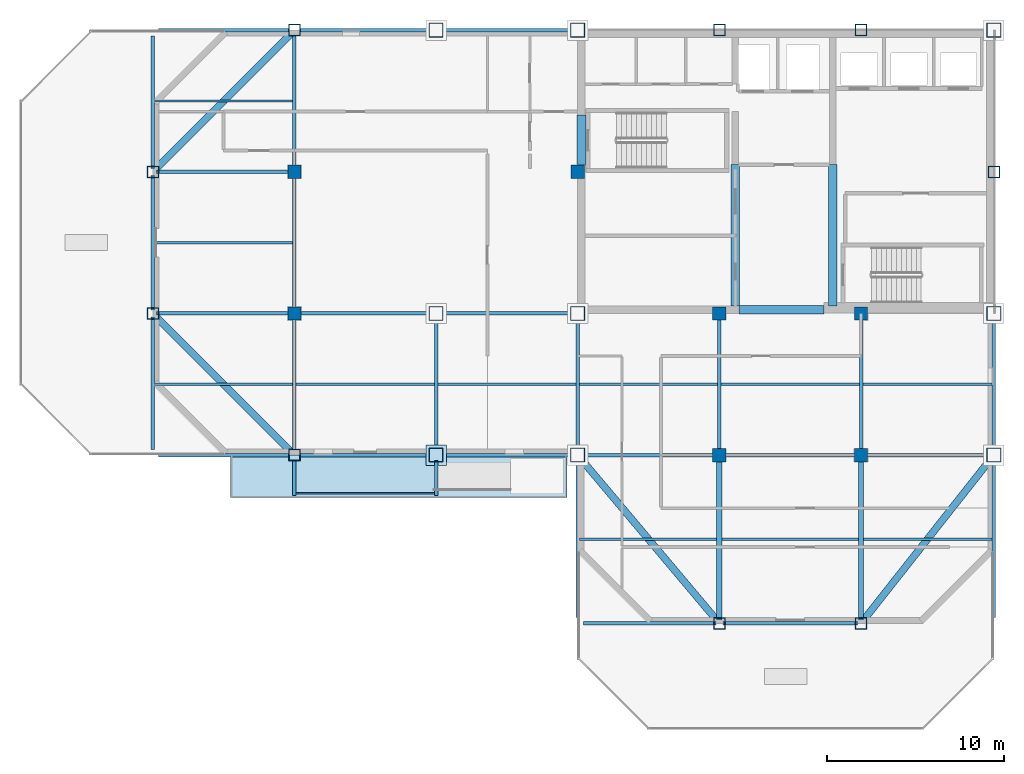
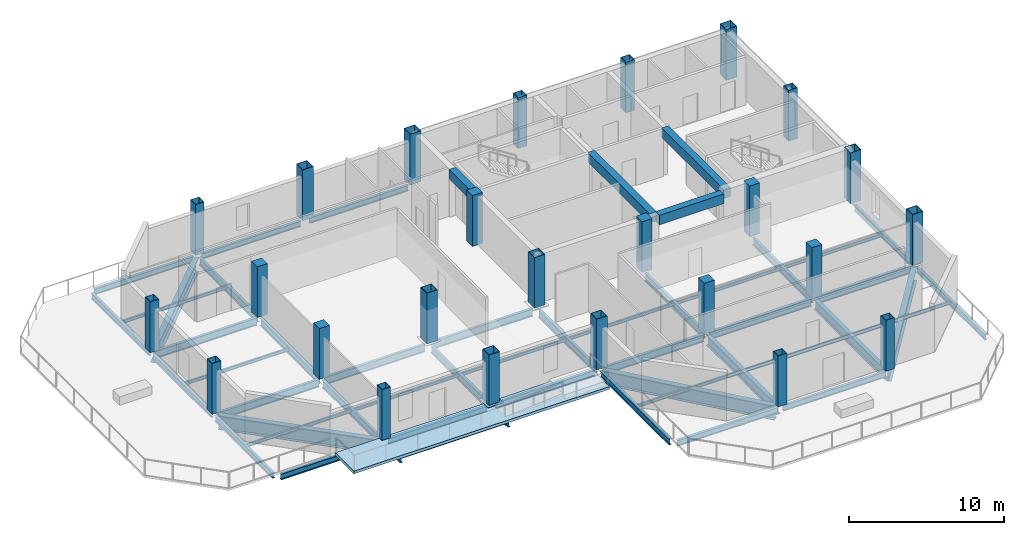
# One storey, part 1 of 8: 52 beams, 25 columns, 1 plate, 1 slab.
"""IFC4 building model written with IfcOpenShell, lengths in metres."""

from ifc_helpers import new_model, si_unit, direction, frame, origin, origin_2d, place, context, subcontext, project, spatial, polyline, rectangle, hollow_rectangle, i_section, outline, extrude, material, layer, layer_set, material_profile, profile_set, type_object, element, save


model = new_model("IFC4")

# Units and contexts
model_context = context("Model", 3, precision=1e-05, world=origin(), true_north=direction((0.0, 1.0)))
body_context = subcontext(model_context, "Body", "Model", "MODEL_VIEW")
ifc_project = project(units=[si_unit("LENGTHUNIT", "METRE"), si_unit("AREAUNIT", "SQUARE_METRE"), si_unit("VOLUMEUNIT", "CUBIC_METRE"), si_unit("PLANEANGLEUNIT", "RADIAN"), si_unit("MASSUNIT", "GRAM", prefix="KILO")], contexts=[model_context])

# Site, building, storey
site_placement = place(None, origin())
site = spatial("IfcSite", under=ifc_project, at=site_placement, CompositionType="ELEMENT")
building_placement = place(site_placement, origin())
building = spatial("IfcBuilding", under=site, at=building_placement, Name="Qianrong Seaharbour Tower", CompositionType="ELEMENT")
storey_placement = place(building_placement, frame((0.0, 0.0, 287.199951171875)))
storey = spatial("IfcBuildingStorey", under=building, at=storey_placement, Name="L69", CompositionType="ELEMENT", Elevation=287.199951171875)

# Columns
ifc_material_1 = material(Name="Structural steel SN490B", Category="steel")
ifc_material_profile_1 = material_profile(ifc_material_1, hollow_rectangle(XDim=0.800048828125, YDim=0.800048828125, WallThickness=0.031982421875, at=origin_2d()), Name="BOX800x800x32")
ifc_profile_set_1 = profile_set([ifc_material_profile_1], Name="Structural steel SN490B")
column_type_1 = type_object("IfcColumnType", Name="COL-CFT-800", PredefinedType="COLUMN", material=ifc_profile_set_1)
for number, where, z_axis, x_axis, name in (
    (1, (32.5, 28.0, 0.0), (0.0, 0.0, 1.0), (1.0, 0.0, 0.0), "L69 Column MC-5 at G5/GE"),
    (2, (32.5, 36.0, 0.0), (0.0, 0.0, 1.0), (1.0, 0.0, 0.0), "L69 Column MC-5 at G5/GF"),
    (3, (32.5, 52.0, 0.0), (0.0, 0.0, 1.0), (1.0, 0.0, 0.0), "L69 Column MC-5 at G5/GH"),
    (4, (40.5, 28.0, 0.0), (0.0, 0.0, 1.0), (1.0, 0.0, 0.0), "L69 Column MC-5 at G6/GE"),
    (5, (40.5, 36.0, 0.0), (0.0, 0.0, 1.0), (1.0, 0.0, 0.0), "L69 Column MC-5 at G6/GF"),
    (6, (40.5, 52.0, 0.0), (0.0, 0.0, 1.0), (1.0, 0.0, 0.0), "L69 Column MC-5 at G6/GH"),
    (7, (64.0, 28.0, 0.0), (0.0, 0.0, 1.0), (1.0, 0.0, 0.0), "L69 Column MC-5 at G9/GE"),
    (8, (64.0, 36.0, 0.0), (0.0, 0.0, 1.0), (1.0, 0.0, 0.0), "L69 Column MC-5 at G9/GF"),
    (9, (64.0, 52.0, 0.0), (0.0, 0.0, 1.0), (1.0, 0.0, 0.0), "L69 Column MC-5 at G9/GH"),
):
    element("IfcColumn", number, at=place(storey_placement, frame(where, z_axis=z_axis, x_axis=x_axis)), inside=storey, type_object=column_type_1, Name=name, PredefinedType="COLUMN", context=body_context, shape_type="SweptSolid", body=[
        extrude(hollow_rectangle(XDim=0.800048828125, YDim=0.800048828125, WallThickness=0.031982421875, at=origin_2d()), origin(), (0.0, 0.0, 1.0), 4.0),
    ])
ifc_material_2 = material(Name="Concrete C50/60", Category="concrete")
ifc_material_profile_2 = material_profile(ifc_material_2, rectangle(XDim=0.75, YDim=0.75, at=origin_2d()), Name="RC750x750")
ifc_profile_set_2 = profile_set([ifc_material_profile_2], Name="Concrete C50/60")
column_type_2 = type_object("IfcColumnType", Name="COL-INT-RC750", PredefinedType="COLUMN", material=ifc_profile_set_2)
for number, where, z_axis, x_axis, name in (
    (10, (24.5, 36.0, 0.0), (0.0, 0.0, 1.0), (1.0, 0.0, 0.0), "L69 Column IC-4 at G4/GF"),
    (11, (24.5, 44.0, 0.0), (0.0, 0.0, 1.0), (1.0, 0.0, 0.0), "L69 Column IC-4 at G4/GG"),
    (12, (40.5, 44.0, 0.0), (0.0, 0.0, 1.0), (1.0, 0.0, 0.0), "L69 Column IC-4 at G6/GG"),
    (13, (48.5, 28.0, 0.0), (0.0, 0.0, 1.0), (1.0, 0.0, 0.0), "L69 Column IC-4 at G7/GE"),
    (14, (48.5, 36.0, 0.0), (0.0, 0.0, 1.0), (1.0, 0.0, 0.0), "L69 Column IC-4 at G7/GF"),
    (15, (56.5, 28.0, 0.0), (0.0, 0.0, 1.0), (1.0, 0.0, 0.0), "L69 Column IC-4 at G8/GE"),
    (16, (56.5, 36.0, 0.0), (0.0, 0.0, 1.0), (1.0, 0.0, 0.0), "L69 Column IC-4 at G8/GF"),
):
    element("IfcColumn", number, at=place(storey_placement, frame(where, z_axis=z_axis, x_axis=x_axis)), inside=storey, type_object=column_type_2, Name=name, PredefinedType="COLUMN", context=body_context, shape_type="SweptSolid", body=[
        extrude(rectangle(XDim=0.75, YDim=0.75, at=origin_2d()), origin(), (0.0, 0.0, 1.0), 4.0),
    ])
ifc_material_3 = material(Name="Structural steel SN400B", Category="steel")
ifc_material_profile_3 = material_profile(ifc_material_3, hollow_rectangle(XDim=0.64990234375, YDim=0.64990234375, WallThickness=0.028076171875, at=origin_2d()), Name="BOX650x650x28")
ifc_profile_set_3 = profile_set([ifc_material_profile_3], Name="Structural steel SN400B")
column_type_3 = type_object("IfcColumnType", Name="COL-PER-650", PredefinedType="COLUMN", material=ifc_profile_set_3)
for number, where, z_axis, x_axis, name in (
    (17, (16.5, 36.0, 0.0), (0.0, 0.0, 1.0), (1.0, 0.0, 0.0), "L69 Column PC-4 at G3/GF"),
    (18, (16.5, 44.0, 0.0), (0.0, 0.0, 1.0), (1.0, 0.0, 0.0), "L69 Column PC-4 at G3/GG"),
    (19, (24.5, 28.0, 0.0), (0.0, 0.0, 1.0), (1.0, 0.0, 0.0), "L69 Column PC-4 at G4/GE"),
    (20, (24.5, 52.0, 0.0), (0.0, 0.0, 1.0), (1.0, 0.0, 0.0), "L69 Column PC-4 at G4/GH"),
    (21, (48.5, 18.5, 0.0), (0.0, 0.0, 1.0), (1.0, 0.0, 0.0), "L69 Column PC-4 at G7/GD"),
    (22, (48.5, 52.0, 0.0), (0.0, 0.0, 1.0), (1.0, 0.0, 0.0), "L69 Column PC-4 at G7/GH"),
    (23, (56.5, 18.5, 0.0), (0.0, 0.0, 1.0), (1.0, 0.0, 0.0), "L69 Column PC-4 at G8/GD"),
    (24, (56.5, 52.0, 0.0), (0.0, 0.0, 1.0), (1.0, 0.0, 0.0), "L69 Column PC-4 at G8/GH"),
    (25, (64.0, 44.0, 0.0), (0.0, 0.0, 1.0), (1.0, 0.0, 0.0), "L69 Column PC-4 at G9/GG"),
):
    element("IfcColumn", number, at=place(storey_placement, frame(where, z_axis=z_axis, x_axis=x_axis)), inside=storey, type_object=column_type_3, Name=name, PredefinedType="COLUMN", context=body_context, shape_type="SweptSolid", body=[
        extrude(hollow_rectangle(XDim=0.64990234375, YDim=0.64990234375, WallThickness=0.028076171875, at=origin_2d()), origin(), (0.0, 0.0, 1.0), 4.0),
    ])

# Beams
ifc_material_profile_4 = material_profile(ifc_material_1, i_section(OverallWidth=0.199951171875, OverallDepth=0.60009765625, WebThickness=0.010986328125, FlangeThickness=0.01708984375, FilletRadius=0.02197265625, at=origin_2d()), Name="H600x200x11x17")
ifc_profile_set_4 = profile_set([ifc_material_profile_4], Name="Structural steel SN490B")
beam_type_1 = type_object("IfcBeamType", Name="BM-G-600", PredefinedType="BEAM", material=ifc_profile_set_4)
beam_1_placement = place(storey_placement, frame((40.820068359375, 28.0, -0.514892578125), z_axis=(1.0, 0.0, 0.0), x_axis=(0.0, 1.0, 0.0)))
element("IfcBeam", 26, at=beam_1_placement, inside=storey, type_object=beam_type_1, Name="L69 Primary Girder GE G6-G7", PredefinedType="BEAM", context=body_context, shape_type="SweptSolid", body=[
    extrude(i_section(OverallWidth=0.199951171875, OverallDepth=0.60009765625, WebThickness=0.010986328125, FlangeThickness=0.01708984375, FilletRadius=0.02197265625, at=origin_2d()), origin(), (0.0, 0.0, 1.0), 7.47998046875),
])
beam_2_placement = place(storey_placement, frame((48.699951171875, 28.0, -0.514892578125), z_axis=(1.0, 0.0, 0.0), x_axis=(0.0, 1.0, 0.0)))
element("IfcBeam", 27, at=beam_2_placement, inside=storey, type_object=beam_type_1, Name="L69 Primary Girder GE G7-G8", PredefinedType="BEAM", context=body_context, shape_type="SweptSolid", body=[
    extrude(i_section(OverallWidth=0.199951171875, OverallDepth=0.60009765625, WebThickness=0.010986328125, FlangeThickness=0.01708984375, FilletRadius=0.02197265625, at=origin_2d()), origin(), (0.0, 0.0, 1.0), 7.60009765625),
])
beam_3_placement = place(storey_placement, frame((56.699951171875, 28.0, -0.514892578125), z_axis=(1.0, 0.0, 0.0), x_axis=(0.0, 1.0, 0.0)))
element("IfcBeam", 28, at=beam_3_placement, inside=storey, type_object=beam_type_1, Name="L69 Primary Girder GE G8-G9", PredefinedType="BEAM", context=body_context, shape_type="SweptSolid", body=[
    extrude(i_section(OverallWidth=0.199951171875, OverallDepth=0.60009765625, WebThickness=0.010986328125, FlangeThickness=0.01708984375, FilletRadius=0.02197265625, at=origin_2d()), origin(), (0.0, 0.0, 1.0), 6.97998046875),
])
beam_4_placement = place(storey_placement, frame((16.699951171875, 36.0, -0.514892578125), z_axis=(1.0, 0.0, 0.0), x_axis=(0.0, 1.0, 0.0)))
element("IfcBeam", 29, at=beam_4_placement, inside=storey, type_object=beam_type_1, Name="L69 Primary Girder GF G3-G4", PredefinedType="BEAM", context=body_context, shape_type="SweptSolid", body=[
    extrude(i_section(OverallWidth=0.199951171875, OverallDepth=0.60009765625, WebThickness=0.010986328125, FlangeThickness=0.01708984375, FilletRadius=0.02197265625, at=origin_2d()), origin(), (0.0, 0.0, 1.0), 7.60009765625),
])
beam_5_placement = place(storey_placement, frame((24.699951171875, 36.0, -0.514892578125), z_axis=(1.0, 0.0, 0.0), x_axis=(0.0, 1.0, 0.0)))
element("IfcBeam", 30, at=beam_5_placement, inside=storey, type_object=beam_type_1, Name="L69 Primary Girder GF G4-G5", PredefinedType="BEAM", context=body_context, shape_type="SweptSolid", body=[
    extrude(i_section(OverallWidth=0.199951171875, OverallDepth=0.60009765625, WebThickness=0.010986328125, FlangeThickness=0.01708984375, FilletRadius=0.02197265625, at=origin_2d()), origin(), (0.0, 0.0, 1.0), 7.47998046875),
])
beam_6_placement = place(storey_placement, frame((32.820068359375, 36.0, -0.514892578125), z_axis=(1.0, 0.0, 0.0), x_axis=(0.0, 1.0, 0.0)))
element("IfcBeam", 31, at=beam_6_placement, inside=storey, type_object=beam_type_1, Name="L69 Primary Girder GF G5-G6", PredefinedType="BEAM", context=body_context, shape_type="SweptSolid", body=[
    extrude(i_section(OverallWidth=0.199951171875, OverallDepth=0.60009765625, WebThickness=0.010986328125, FlangeThickness=0.01708984375, FilletRadius=0.02197265625, at=origin_2d()), origin(), (0.0, 0.0, 1.0), 7.35986328125),
])
beam_7_placement = place(storey_placement, frame((16.699951171875, 44.0, -0.514892578125), z_axis=(1.0, 0.0, 0.0), x_axis=(0.0, 1.0, 0.0)))
element("IfcBeam", 32, at=beam_7_placement, inside=storey, type_object=beam_type_1, Name="L69 Primary Girder GG G3-G4", PredefinedType="BEAM", context=body_context, shape_type="SweptSolid", body=[
    extrude(i_section(OverallWidth=0.199951171875, OverallDepth=0.60009765625, WebThickness=0.010986328125, FlangeThickness=0.01708984375, FilletRadius=0.02197265625, at=origin_2d()), origin(), (0.0, 0.0, 1.0), 7.60009765625),
])
beam_8_placement = place(storey_placement, frame((24.5, 28.320068359375, -0.514892578125), z_axis=(0.0, 1.0, 0.0), x_axis=(-1.0, 0.0, 0.0)))
element("IfcBeam", 33, at=beam_8_placement, inside=storey, type_object=beam_type_1, Name="L69 Primary Girder G4 GE-GF", PredefinedType="BEAM", context=body_context, shape_type="SweptSolid", body=[
    extrude(i_section(OverallWidth=0.199951171875, OverallDepth=0.60009765625, WebThickness=0.010986328125, FlangeThickness=0.01708984375, FilletRadius=0.02197265625, at=origin_2d()), origin(), (0.0, 0.0, 1.0), 7.47998046875),
])
beam_9_placement = place(storey_placement, frame((24.5, 36.199951171875, -0.514892578125), z_axis=(0.0, 1.0, 0.0), x_axis=(-1.0, 0.0, 0.0)))
element("IfcBeam", 34, at=beam_9_placement, inside=storey, type_object=beam_type_1, Name="L69 Primary Girder G4 GF-GG", PredefinedType="BEAM", context=body_context, shape_type="SweptSolid", body=[
    extrude(i_section(OverallWidth=0.199951171875, OverallDepth=0.60009765625, WebThickness=0.010986328125, FlangeThickness=0.01708984375, FilletRadius=0.02197265625, at=origin_2d()), origin(), (0.0, 0.0, 1.0), 7.60009765625),
])
beam_10_placement = place(storey_placement, frame((24.5, 44.199951171875, -0.514892578125), z_axis=(0.0, 1.0, 0.0), x_axis=(-1.0, 0.0, 0.0)))
element("IfcBeam", 35, at=beam_10_placement, inside=storey, type_object=beam_type_1, Name="L69 Primary Girder G4 GG-GH", PredefinedType="BEAM", context=body_context, shape_type="SweptSolid", body=[
    extrude(i_section(OverallWidth=0.199951171875, OverallDepth=0.60009765625, WebThickness=0.010986328125, FlangeThickness=0.01708984375, FilletRadius=0.02197265625, at=origin_2d()), origin(), (0.0, 0.0, 1.0), 7.47998046875),
])
for number, where, z_axis, x_axis, name in (
    (36, (32.5, 28.320068359375, -0.514892578125), (0.0, 1.0, 0.0), (-1.0, 0.0, 0.0), "L69 Primary Girder G5 GE-GF"),
    (37, (40.5, 28.320068359375, -0.514892578125), (0.0, 1.0, 0.0), (-1.0, 0.0, 0.0), "L69 Primary Girder G6 GE-GF"),
):
    element("IfcBeam", number, at=place(storey_placement, frame(where, z_axis=z_axis, x_axis=x_axis)), inside=storey, type_object=beam_type_1, Name=name, PredefinedType="BEAM", context=body_context, shape_type="SweptSolid", body=[
        extrude(i_section(OverallWidth=0.199951171875, OverallDepth=0.60009765625, WebThickness=0.010986328125, FlangeThickness=0.01708984375, FilletRadius=0.02197265625, at=origin_2d()), origin(), (0.0, 0.0, 1.0), 7.35986328125),
    ])
for number, where, z_axis, x_axis, name in (
    (38, (48.5, 28.199951171875, -0.514892578125), (0.0, 1.0, 0.0), (-1.0, 0.0, 0.0), "L69 Primary Girder G7 GE-GF"),
    (39, (56.5, 28.199951171875, -0.514892578125), (0.0, 1.0, 0.0), (-1.0, 0.0, 0.0), "L69 Primary Girder G8 GE-GF"),
):
    element("IfcBeam", number, at=place(storey_placement, frame(where, z_axis=z_axis, x_axis=x_axis)), inside=storey, type_object=beam_type_1, Name=name, PredefinedType="BEAM", context=body_context, shape_type="SweptSolid", body=[
        extrude(i_section(OverallWidth=0.199951171875, OverallDepth=0.60009765625, WebThickness=0.010986328125, FlangeThickness=0.01708984375, FilletRadius=0.02197265625, at=origin_2d()), origin(), (0.0, 0.0, 1.0), 7.60009765625),
    ])
ifc_material_profile_5 = material_profile(ifc_material_1, i_section(OverallWidth=0.300048828125, OverallDepth=0.800048828125, WebThickness=0.013916015625, FlangeThickness=0.02587890625, FilletRadius=0.028076171875, at=origin_2d()), Name="H800x300x14x26")
ifc_profile_set_5 = profile_set([ifc_material_profile_5], Name="Structural steel SN490B")
beam_type_2 = type_object("IfcBeamType", Name="BM-G-800", PredefinedType="BEAM", material=ifc_profile_set_5)
for number, where, z_axis, x_axis, name in (
    (40, (48.5, 18.699951171875, -0.614990234375), (0.0, 1.0, 0.0), (-1.0, 0.0, 0.0), "L69 Primary Girder G7 GD-GE"),
    (41, (56.5, 18.699951171875, -0.614990234375), (0.0, 1.0, 0.0), (-1.0, 0.0, 0.0), "L69 Primary Girder G8 GD-GE"),
):
    element("IfcBeam", number, at=place(storey_placement, frame(where, z_axis=z_axis, x_axis=x_axis)), inside=storey, type_object=beam_type_2, Name=name, PredefinedType="BEAM", context=body_context, shape_type="SweptSolid", body=[
        extrude(i_section(OverallWidth=0.300048828125, OverallDepth=0.800048828125, WebThickness=0.013916015625, FlangeThickness=0.02587890625, FilletRadius=0.028076171875, at=origin_2d()), origin(), (0.0, 0.0, 1.0), 9.10009765625),
    ])
ifc_material_profile_6 = material_profile(ifc_material_3, i_section(OverallWidth=0.125, OverallDepth=0.25, WebThickness=0.006103515625, FlangeThickness=0.009033203125, FilletRadius=0.011962890625, at=origin_2d()), Name="H250x125x6x9")
ifc_profile_set_6 = profile_set([ifc_material_profile_6], Name="Structural steel SN400B")
beam_type_3 = type_object("IfcBeamType", Name="BM-J-250", PredefinedType="JOIST", material=ifc_profile_set_6)
for number, where, z_axis, x_axis, name in (
    (42, (16.60009765625, 32.0, -0.33984375), (1.0, 0.0, 0.0), (0.0, 1.0, 0.0), "L69 Composite Floor Joist G3-G4/GE-GF"),
    (43, (16.60009765625, 40.0, -0.33984375), (1.0, 0.0, 0.0), (0.0, 1.0, 0.0), "L69 Composite Floor Joist G3-G4/GF-GG"),
    (44, (16.60009765625, 48.0, -0.33984375), (1.0, 0.0, 0.0), (0.0, 1.0, 0.0), "L69 Composite Floor Joist G3-G4/GG-GH"),
    (45, (24.60009765625, 32.0, -0.33984375), (1.0, 0.0, 0.0), (0.0, 1.0, 0.0), "L69 Composite Floor Joist G4-G5/GE-GF"),
    (46, (32.60009765625, 32.0, -0.33984375), (1.0, 0.0, 0.0), (0.0, 1.0, 0.0), "L69 Composite Floor Joist G5-G6/GE-GF"),
):
    element("IfcBeam", number, at=place(storey_placement, frame(where, z_axis=z_axis, x_axis=x_axis)), inside=storey, type_object=beam_type_3, Name=name, PredefinedType="JOIST", context=body_context, shape_type="SweptSolid", body=[
        extrude(i_section(OverallWidth=0.125, OverallDepth=0.25, WebThickness=0.006103515625, FlangeThickness=0.009033203125, FilletRadius=0.011962890625, at=origin_2d()), origin(), (0.0, 0.0, 1.0), 7.7998046875),
    ])
beam_11_placement = place(storey_placement, frame((40.60009765625, 23.25, -0.33984375), z_axis=(1.0, 0.0, 0.0), x_axis=(0.0, 1.0, 0.0)))
element("IfcBeam", 47, at=beam_11_placement, inside=storey, type_object=beam_type_3, Name="L69 Composite Floor Joist G6-G7/GD-GE", PredefinedType="JOIST", context=body_context, shape_type="SweptSolid", body=[
    extrude(i_section(OverallWidth=0.125, OverallDepth=0.25, WebThickness=0.006103515625, FlangeThickness=0.009033203125, FilletRadius=0.011962890625, at=origin_2d()), origin(), (0.0, 0.0, 1.0), 7.75),
])
beam_12_placement = place(storey_placement, frame((40.60009765625, 32.0, -0.33984375), z_axis=(1.0, 0.0, 0.0), x_axis=(0.0, 1.0, 0.0)))
element("IfcBeam", 48, at=beam_12_placement, inside=storey, type_object=beam_type_3, Name="L69 Composite Floor Joist G6-G7/GE-GF", PredefinedType="JOIST", context=body_context, shape_type="SweptSolid", body=[
    extrude(i_section(OverallWidth=0.125, OverallDepth=0.25, WebThickness=0.006103515625, FlangeThickness=0.009033203125, FilletRadius=0.011962890625, at=origin_2d()), origin(), (0.0, 0.0, 1.0), 7.7998046875),
])
beam_13_placement = place(storey_placement, frame((48.64990234375, 23.25, -0.33984375), z_axis=(1.0, 0.0, 0.0), x_axis=(0.0, 1.0, 0.0)))
element("IfcBeam", 49, at=beam_13_placement, inside=storey, type_object=beam_type_3, Name="L69 Composite Floor Joist G7-G8/GD-GE", PredefinedType="JOIST", context=body_context, shape_type="SweptSolid", body=[
    extrude(i_section(OverallWidth=0.125, OverallDepth=0.25, WebThickness=0.006103515625, FlangeThickness=0.009033203125, FilletRadius=0.011962890625, at=origin_2d()), origin(), (0.0, 0.0, 1.0), 7.7001953125),
])
beam_14_placement = place(storey_placement, frame((48.60009765625, 32.0, -0.33984375), z_axis=(1.0, 0.0, 0.0), x_axis=(0.0, 1.0, 0.0)))
element("IfcBeam", 50, at=beam_14_placement, inside=storey, type_object=beam_type_3, Name="L69 Composite Floor Joist G7-G8/GE-GF", PredefinedType="JOIST", context=body_context, shape_type="SweptSolid", body=[
    extrude(i_section(OverallWidth=0.125, OverallDepth=0.25, WebThickness=0.006103515625, FlangeThickness=0.009033203125, FilletRadius=0.011962890625, at=origin_2d()), origin(), (0.0, 0.0, 1.0), 7.7998046875),
])
beam_15_placement = place(storey_placement, frame((56.64990234375, 23.25, -0.33984375), z_axis=(1.0, 0.0, 0.0), x_axis=(0.0, 1.0, 0.0)))
element("IfcBeam", 51, at=beam_15_placement, inside=storey, type_object=beam_type_3, Name="L69 Composite Floor Joist G8-G9/GD-GE", PredefinedType="JOIST", context=body_context, shape_type="SweptSolid", body=[
    extrude(i_section(OverallWidth=0.125, OverallDepth=0.25, WebThickness=0.006103515625, FlangeThickness=0.009033203125, FilletRadius=0.011962890625, at=origin_2d()), origin(), (0.0, 0.0, 1.0), 7.25),
])
beam_16_placement = place(storey_placement, frame((56.60009765625, 32.0, -0.33984375), z_axis=(1.0, 0.0, 0.0), x_axis=(0.0, 1.0, 0.0)))
element("IfcBeam", 52, at=beam_16_placement, inside=storey, type_object=beam_type_3, Name="L69 Composite Floor Joist G8-G9/GE-GF", PredefinedType="JOIST", context=body_context, shape_type="SweptSolid", body=[
    extrude(i_section(OverallWidth=0.125, OverallDepth=0.25, WebThickness=0.006103515625, FlangeThickness=0.009033203125, FilletRadius=0.011962890625, at=origin_2d()), origin(), (0.0, 0.0, 1.0), 7.2998046875),
])
ifc_material_4 = material(Name="Concrete C60/75", Category="concrete")
ifc_material_profile_7 = material_profile(ifc_material_4, rectangle(XDim=0.5, YDim=0.75, at=origin_2d()), Name="RC500x750")
ifc_profile_set_7 = profile_set([ifc_material_profile_7], Name="Concrete C60/75")
beam_type_4 = type_object("IfcBeamType", Name="BM-LINTEL-750", PredefinedType="LINTEL", material=ifc_profile_set_7)
beam_17_placement = place(storey_placement, frame((40.7099609375, 44.39990234375, 3.41015625), z_axis=(0.0, 1.0, 0.0), x_axis=(-1.0, 0.0, 0.0)))
element("IfcBeam", 53, at=beam_17_placement, inside=storey, type_object=beam_type_4, Name="L69 Core Coupling Lintel Beam West", PredefinedType="LINTEL", context=body_context, shape_type="SweptSolid", body=[
    extrude(rectangle(XDim=0.5, YDim=0.75, at=origin_2d()), origin(), (0.0, 0.0, 1.0), 2.800048828125),
])
beam_18_placement = place(storey_placement, frame((49.60009765625, 36.2099609375, 3.41015625), z_axis=(1.0, 0.0, 0.0), x_axis=(0.0, 1.0, 0.0)))
element("IfcBeam", 54, at=beam_18_placement, inside=storey, type_object=beam_type_4, Name="L69 Core Coupling Lintel Beam CBC", PredefinedType="LINTEL", context=body_context, shape_type="SweptSolid", body=[
    extrude(rectangle(XDim=0.5, YDim=0.75, at=origin_2d()), origin(), (0.0, 0.0, 1.0), 4.7998046875),
])
for number, where, z_axis, x_axis, name in (
    (55, (49.39990234375, 36.419921875, 3.41015625), (0.0, 1.0, 0.0), (-1.0, 0.0, 0.0), "L69 Internal Core Coupling Beam IW1"),
    (56, (54.89990234375, 36.419921875, 3.41015625), (0.0, 1.0, 0.0), (-1.0, 0.0, 0.0), "L69 Internal Core Coupling Beam IW2"),
):
    element("IfcBeam", number, at=place(storey_placement, frame(where, z_axis=z_axis, x_axis=x_axis)), inside=storey, type_object=beam_type_4, Name=name, PredefinedType="LINTEL", context=body_context, shape_type="SweptSolid", body=[
        extrude(rectangle(XDim=0.5, YDim=0.75, at=origin_2d()), origin(), (0.0, 0.0, 1.0), 7.97998046875),
    ])
ifc_material_profile_8 = material_profile(ifc_material_3, i_section(OverallWidth=0.10009765625, OverallDepth=0.199951171875, WebThickness=0.005615234375, FlangeThickness=0.008056640625, FilletRadius=0.010986328125, at=origin_2d()), Name="H200x100x5.5x8")
ifc_profile_set_8 = profile_set([ifc_material_profile_8], Name="Structural steel SN400B")
beam_type_5 = type_object("IfcBeamType", Name="BM-PURLIN-200", PredefinedType="JOIST", material=ifc_profile_set_8)
beam_19_placement = place(storey_placement, frame((24.60009765625, 25.840087890625, -0.31494140625), z_axis=(1.0, 0.0, 0.0), x_axis=(0.0, 1.0, 0.0)))
element("IfcBeam", 57, at=beam_19_placement, inside=storey, type_object=beam_type_5, Name="L69 Harbourfront Ribbon Edge Beam G5", PredefinedType="JOIST", context=body_context, shape_type="SweptSolid", body=[
    extrude(i_section(OverallWidth=0.10009765625, OverallDepth=0.199951171875, WebThickness=0.005615234375, FlangeThickness=0.008056640625, FilletRadius=0.010986328125, at=origin_2d()), origin(), (0.0, 0.0, 1.0), 7.7998046875),
])
ifc_material_profile_9 = material_profile(ifc_material_1, i_section(OverallWidth=0.199951171875, OverallDepth=0.449951171875, WebThickness=0.009033203125, FlangeThickness=0.013916015625, FilletRadius=0.01806640625, at=origin_2d()), Name="H450x200x9x14")
ifc_profile_set_9 = profile_set([ifc_material_profile_9], Name="Structural steel SN490B")
beam_type_6 = type_object("IfcBeamType", Name="BM-RIB-450", PredefinedType="BEAM", material=ifc_profile_set_9)
for number, where, z_axis, x_axis, name in (
    (58, (24.5, 27.699951171875, -0.43994140625), (0.0, -1.0, 0.0), (1.0, 0.0, 0.0), "L69 Harbourfront Ribbon Cantilever Bracket G4"),
    (59, (32.5, 27.699951171875, -0.43994140625), (0.0, -1.0, 0.0), (1.0, 0.0, 0.0), "L69 Harbourfront Ribbon Cantilever Bracket G5"),
):
    element("IfcBeam", number, at=place(storey_placement, frame(where, z_axis=z_axis, x_axis=x_axis)), inside=storey, type_object=beam_type_6, Name=name, PredefinedType="BEAM", context=body_context, shape_type="SweptSolid", body=[
        extrude(i_section(OverallWidth=0.199951171875, OverallDepth=0.449951171875, WebThickness=0.009033203125, FlangeThickness=0.013916015625, FilletRadius=0.01806640625, at=origin_2d()), origin(), (0.0, 0.0, 1.0), 1.97998046875),
    ])
ifc_material_profile_10 = material_profile(ifc_material_3, i_section(OverallWidth=0.199951171875, OverallDepth=0.449951171875, WebThickness=0.009033203125, FlangeThickness=0.013916015625, FilletRadius=0.01806640625, at=origin_2d()), Name="H450x200x9x14")
ifc_profile_set_10 = profile_set([ifc_material_profile_10], Name="Structural steel SN400B")
beam_type_7 = type_object("IfcBeamType", Name="BM-SP-450", PredefinedType="SPANDREL", material=ifc_profile_set_10)
beam_20_placement = place(storey_placement, frame((40.820068359375, 18.5, -0.43994140625), z_axis=(1.0, 0.0, 0.0), x_axis=(0.0, 1.0, 0.0)))
element("IfcBeam", 60, at=beam_20_placement, inside=storey, type_object=beam_type_7, Name="L69 Spandrel Girder GD G6-G7", PredefinedType="SPANDREL", context=body_context, shape_type="SweptSolid", body=[
    extrude(i_section(OverallWidth=0.199951171875, OverallDepth=0.449951171875, WebThickness=0.009033203125, FlangeThickness=0.013916015625, FilletRadius=0.01806640625, at=origin_2d()), origin(), (0.0, 0.0, 1.0), 7.47998046875),
])
beam_21_placement = place(storey_placement, frame((48.699951171875, 18.5, -0.43994140625), z_axis=(1.0, 0.0, 0.0), x_axis=(0.0, 1.0, 0.0)))
element("IfcBeam", 61, at=beam_21_placement, inside=storey, type_object=beam_type_7, Name="L69 Spandrel Girder GD G7-G8", PredefinedType="SPANDREL", context=body_context, shape_type="SweptSolid", body=[
    extrude(i_section(OverallWidth=0.199951171875, OverallDepth=0.449951171875, WebThickness=0.009033203125, FlangeThickness=0.013916015625, FilletRadius=0.01806640625, at=origin_2d()), origin(), (0.0, 0.0, 1.0), 7.60009765625),
])
for number, where, z_axis, x_axis, name in (
    (62, (16.820068359375, 28.0, -0.43994140625), (1.0, 0.0, 0.0), (0.0, 1.0, 0.0), "L69 Spandrel Girder GE G3-G4"),
    (63, (24.820068359375, 28.0, -0.43994140625), (1.0, 0.0, 0.0), (0.0, 1.0, 0.0), "L69 Spandrel Girder GE G4-G5"),
    (64, (32.820068359375, 28.0, -0.43994140625), (1.0, 0.0, 0.0), (0.0, 1.0, 0.0), "L69 Spandrel Girder GE G5-G6"),
    (65, (16.820068359375, 52.0, -0.43994140625), (1.0, 0.0, 0.0), (0.0, 1.0, 0.0), "L69 Spandrel Girder GH G3-G4"),
    (66, (24.820068359375, 52.0, -0.43994140625), (1.0, 0.0, 0.0), (0.0, 1.0, 0.0), "L69 Spandrel Girder GH G4-G5"),
    (67, (32.820068359375, 52.0, -0.43994140625), (1.0, 0.0, 0.0), (0.0, 1.0, 0.0), "L69 Spandrel Girder GH G5-G6"),
):
    element("IfcBeam", number, at=place(storey_placement, frame(where, z_axis=z_axis, x_axis=x_axis)), inside=storey, type_object=beam_type_7, Name=name, PredefinedType="SPANDREL", context=body_context, shape_type="SweptSolid", body=[
        extrude(i_section(OverallWidth=0.199951171875, OverallDepth=0.449951171875, WebThickness=0.009033203125, FlangeThickness=0.013916015625, FilletRadius=0.01806640625, at=origin_2d()), origin(), (0.0, 0.0, 1.0), 7.35986328125),
    ])
beam_22_placement = place(storey_placement, frame((16.5, 28.320068359375, -0.43994140625), z_axis=(0.0, 1.0, 0.0), x_axis=(-1.0, 0.0, 0.0)))
element("IfcBeam", 68, at=beam_22_placement, inside=storey, type_object=beam_type_7, Name="L69 Spandrel Girder G3 GE-GF", PredefinedType="SPANDREL", context=body_context, shape_type="SweptSolid", body=[
    extrude(i_section(OverallWidth=0.199951171875, OverallDepth=0.449951171875, WebThickness=0.009033203125, FlangeThickness=0.013916015625, FilletRadius=0.01806640625, at=origin_2d()), origin(), (0.0, 0.0, 1.0), 7.47998046875),
])
beam_23_placement = place(storey_placement, frame((16.5, 36.199951171875, -0.43994140625), z_axis=(0.0, 1.0, 0.0), x_axis=(-1.0, 0.0, 0.0)))
element("IfcBeam", 69, at=beam_23_placement, inside=storey, type_object=beam_type_7, Name="L69 Spandrel Girder G3 GF-GG", PredefinedType="SPANDREL", context=body_context, shape_type="SweptSolid", body=[
    extrude(i_section(OverallWidth=0.199951171875, OverallDepth=0.449951171875, WebThickness=0.009033203125, FlangeThickness=0.013916015625, FilletRadius=0.01806640625, at=origin_2d()), origin(), (0.0, 0.0, 1.0), 7.60009765625),
])
beam_24_placement = place(storey_placement, frame((16.5, 44.199951171875, -0.43994140625), z_axis=(0.0, 1.0, 0.0), x_axis=(-1.0, 0.0, 0.0)))
element("IfcBeam", 70, at=beam_24_placement, inside=storey, type_object=beam_type_7, Name="L69 Spandrel Girder G3 GG-GH", PredefinedType="SPANDREL", context=body_context, shape_type="SweptSolid", body=[
    extrude(i_section(OverallWidth=0.199951171875, OverallDepth=0.449951171875, WebThickness=0.009033203125, FlangeThickness=0.013916015625, FilletRadius=0.01806640625, at=origin_2d()), origin(), (0.0, 0.0, 1.0), 7.47998046875),
])
for number, where, z_axis, x_axis, name in (
    (71, (40.5, 18.820068359375, -0.43994140625), (0.0, 1.0, 0.0), (-1.0, 0.0, 0.0), "L69 Spandrel Girder G6 GD-GE"),
    (72, (64.0, 18.820068359375, -0.43994140625), (0.0, 1.0, 0.0), (-1.0, 0.0, 0.0), "L69 Spandrel Girder G9 GD-GE"),
):
    element("IfcBeam", number, at=place(storey_placement, frame(where, z_axis=z_axis, x_axis=x_axis)), inside=storey, type_object=beam_type_7, Name=name, PredefinedType="SPANDREL", context=body_context, shape_type="SweptSolid", body=[
        extrude(i_section(OverallWidth=0.199951171875, OverallDepth=0.449951171875, WebThickness=0.009033203125, FlangeThickness=0.013916015625, FilletRadius=0.01806640625, at=origin_2d()), origin(), (0.0, 0.0, 1.0), 8.85986328125),
    ])
beam_25_placement = place(storey_placement, frame((64.0, 28.320068359375, -0.43994140625), z_axis=(0.0, 1.0, 0.0), x_axis=(-1.0, 0.0, 0.0)))
element("IfcBeam", 73, at=beam_25_placement, inside=storey, type_object=beam_type_7, Name="L69 Spandrel Girder G9 GE-GF", PredefinedType="SPANDREL", context=body_context, shape_type="SweptSolid", body=[
    extrude(i_section(OverallWidth=0.199951171875, OverallDepth=0.449951171875, WebThickness=0.009033203125, FlangeThickness=0.013916015625, FilletRadius=0.01806640625, at=origin_2d()), origin(), (0.0, 0.0, 1.0), 7.35986328125),
])
ifc_material_profile_11 = material_profile(ifc_material_1, i_section(OverallWidth=0.39990234375, OverallDepth=1.10009765625, WebThickness=0.02001953125, FlangeThickness=0.035888671875, at=origin_2d()), Name="BH1100x400x20x36")
ifc_profile_set_11 = profile_set([ifc_material_profile_11], Name="Structural steel SN490B")
beam_type_8 = type_object("IfcBeamType", Name="BM-TG-1100", PredefinedType="BEAM", material=ifc_profile_set_11)
for number, where, z_axis, x_axis, name in (
    (74, (24.273681640625, 28.226318359375, -0.764892578125), (-0.707106781187, 0.707106781187, 0.0), (-0.707106781187, -0.707106781187, 0.0), "L69 Chamfer Corner Spandrel Girder G3/GE"),
    (75, (24.273681640625, 51.773681640625, -0.764892578125), (-0.707106781187, -0.707106781187, 0.0), (0.707106781187, -0.707106781187, 0.0), "L69 Chamfer Corner Spandrel Girder G3/GH"),
):
    element("IfcBeam", number, at=place(storey_placement, frame(where, z_axis=z_axis, x_axis=x_axis)), inside=storey, type_object=beam_type_8, Name=name, PredefinedType="BEAM", context=body_context, shape_type="SweptSolid", body=[
        extrude(i_section(OverallWidth=0.39990234375, OverallDepth=1.10009765625, WebThickness=0.02001953125, FlangeThickness=0.035888671875, at=origin_2d()), origin(), (0.0, 0.0, 1.0), 10.673583984375),
    ])
beam_26_placement = place(storey_placement, frame((48.2939453125, 18.744873046875, -0.764892578125), z_axis=(-0.644151063101, 0.764898299061, 0.0), x_axis=(-0.764898299061, -0.644151063101, 0.0)))
element("IfcBeam", 76, at=beam_26_placement, inside=storey, type_object=beam_type_8, Name="L69 Chamfer Corner Spandrel Girder G6/GD", PredefinedType="BEAM", context=body_context, shape_type="SweptSolid", body=[
    extrude(i_section(OverallWidth=0.39990234375, OverallDepth=1.10009765625, WebThickness=0.02001953125, FlangeThickness=0.035888671875, at=origin_2d()), origin(), (0.0, 0.0, 1.0), 11.77978515625),
])
beam_27_placement = place(storey_placement, frame((56.6982421875, 18.751220703125, -0.764892578125), z_axis=(0.619653955715, 0.784875133487, 0.0), x_axis=(-0.784875133487, 0.619653955715, 0.0)))
element("IfcBeam", 77, at=beam_27_placement, inside=storey, type_object=beam_type_8, Name="L69 Chamfer Corner Spandrel Girder G9/GD", PredefinedType="BEAM", context=body_context, shape_type="SweptSolid", body=[
    extrude(i_section(OverallWidth=0.39990234375, OverallDepth=1.10009765625, WebThickness=0.02001953125, FlangeThickness=0.035888671875, at=origin_2d()), origin(), (0.0, 0.0, 1.0), 11.463623046875),
])

# Plate
ifc_layer_1 = layer(ifc_material_1, 0.044921875)
ifc_layer_set_1 = layer_set([ifc_layer_1], Name="Structural steel SN490B")
plate_type = type_object("IfcPlateType", Name="PLT-COL-CAP-45", PredefinedType="SHEET", material=ifc_layer_set_1)
plate_placement = place(storey_placement, frame((32.5, 28.0, -0.0224609375), z_axis=(0.0, 0.0, 1.0), x_axis=(1.0, 0.0, 0.0)))
element("IfcPlate", 78, at=plate_placement, inside=storey, type_object=plate_type, Name="L69 Column Splice Cap Plate G5/GE", PredefinedType="SHEET", context=body_context, shape_type="SweptSolid", body=[
    extrude(rectangle(XDim=1.14990234375, YDim=1.14990234375, at=origin_2d()), origin(), (0.0, 0.0, 1.0), 0.044921875),
])

# Slab
ifc_material_5 = material(Name="White architectural precast concrete C45/55", Category="concrete")
ifc_layer_2 = layer(ifc_material_5, 0.215087890625)
ifc_layer_set_2 = layer_set([ifc_layer_2], Name="White architectural precast concrete C45/55")
slab_type = type_object("IfcSlabType", Name="SLAB-RIBBON-215", PredefinedType="FLOOR", material=ifc_layer_set_2)
slab_placement = place(storey_placement, frame((0.0, 0.0, -0.21484375)))
element("IfcSlab", 79, at=slab_placement, inside=storey, type_object=slab_type, Name="L69 Harbourfront White Precast Ribbon Gallery Slab", PredefinedType="FLOOR", context=body_context, shape_type="SweptSolid", body=[
    extrude(outline(polyline([(20.89990234375, 25.60009765625), (39.89990234375, 25.60009765625), (39.89990234375, 28.0), (20.89990234375, 28.0), (20.89990234375, 25.60009765625)])), origin(), (0.0, 0.0, 1.0), 0.21484375),
])

save(model, "model.ifc")
